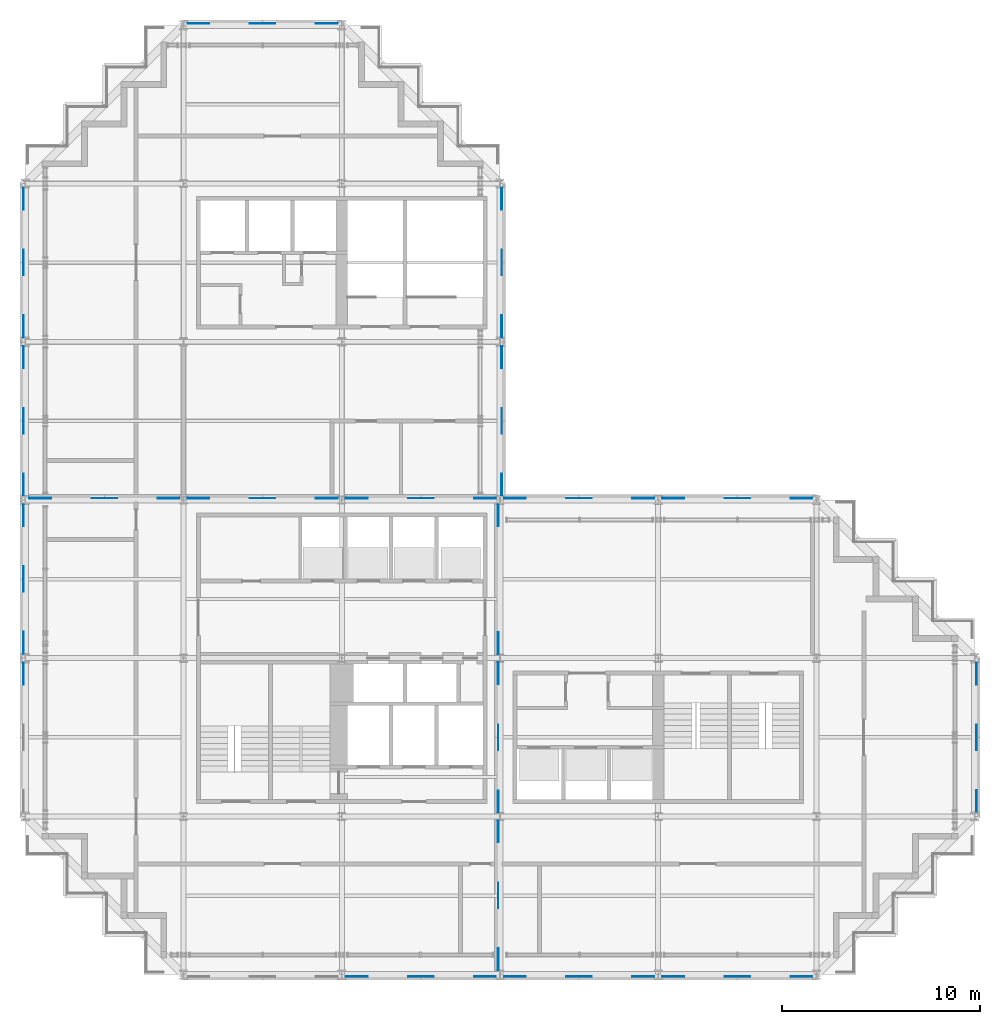
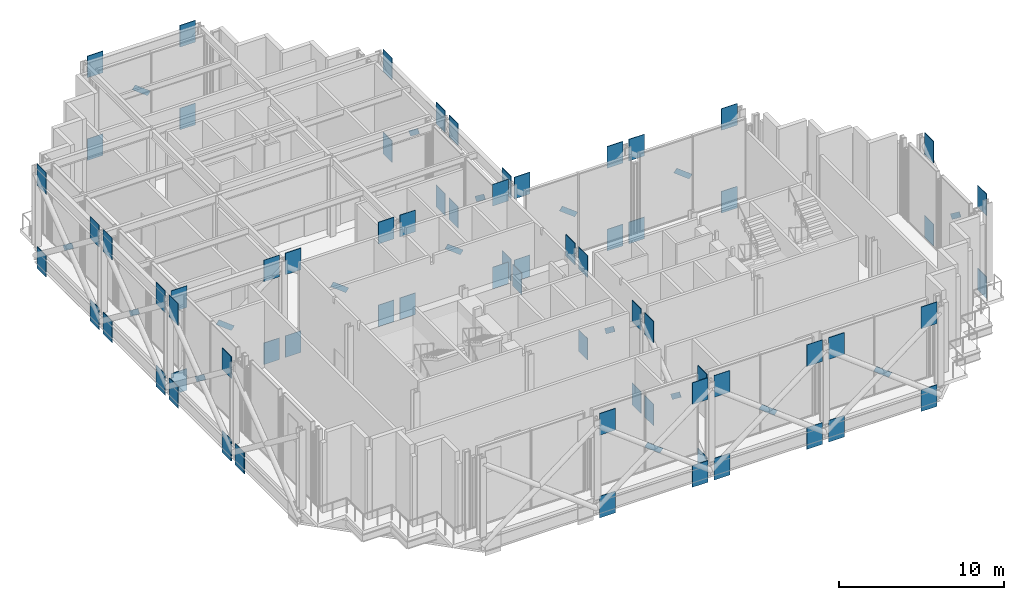
# One storey, part 20 of 23: 88 discrete accessories.
"""IFC4 building model written with IfcOpenShell, lengths in metres."""

import ifcopenshell
import ifcopenshell.guid

model = None  # the IFC model being written
_history = None  # IfcOwnerHistory: only IFC2X3 demands one
_inside = {}  # id of a spatial element -> (the spatial element, [elements in it])
_under = {}  # id of a project, library or spatial element -> (it, [spatial elements below it])
_declared = {}  # id of a project -> (the project, [libraries it declares])
_typed = {}  # id of a type object -> (the type object, [elements of that type])
_made_of = {}  # id of a material, layer set ... -> (it, [elements and type objects made of it])


def new_model(schema):
    """Start an empty IFC model of exactly this schema.

    Asked for "IFC4X3", IfcOpenShell would pick the latest addendum, in which some entities
    have other attributes; the version numbers below select the first issue.
    IFC2X3 requires an IfcOwnerHistory on every rooted entity: one is made here for all.
    """
    global model, _history
    if schema == "IFC4X3":
        model = ifcopenshell.file(schema_version=(4, 3, 0, 0))
    else:
        model = ifcopenshell.file(schema=schema)
    _inside.clear()
    _under.clear()
    _declared.clear()
    _typed.clear()
    _made_of.clear()
    _history = None
    if model.schema == "IFC2X3":
        org = make("IfcOrganization", Name="unknown")
        user = make(
            "IfcPersonAndOrganization",
            ThePerson=make("IfcPerson", FamilyName="unknown"),
            TheOrganization=org,
        )
        app = make(
            "IfcApplication",
            ApplicationDeveloper=org,
            Version="unknown",
            ApplicationFullName="unknown",
            ApplicationIdentifier="unknown",
        )
        _history = make(
            "IfcOwnerHistory",
            OwningUser=user,
            OwningApplication=app,
            ChangeAction="ADDED",
            CreationDate=0,
        )
    return model


def make(cls, **values):
    """One entity of the class cls with the attributes given. An attribute that is None is left unset."""
    return model.create_entity(
        cls, **{name: value for name, value in values.items() if value is not None}
    )


def rooted(cls, **values):
    """An entity with a GlobalId (a new one), such as an element, a storey or a relation."""
    return make(cls, GlobalId=ifcopenshell.guid.new(), OwnerHistory=_history, **values)


def si_unit(unit_type, name, prefix=None):
    """IfcSIUnit, for example si_unit("LENGTHUNIT", "METRE", prefix="MILLI")."""
    return make("IfcSIUnit", UnitType=unit_type, Prefix=prefix, Name=name)


def assignment(units):
    """IfcUnitAssignment: the units of a project."""
    return None if units is None else make("IfcUnitAssignment", Units=units)


def point(xyz):
    """IfcCartesianPoint."""
    return None if xyz is None else make("IfcCartesianPoint", Coordinates=xyz)


def direction(xyz):
    """IfcDirection."""
    return None if xyz is None else make("IfcDirection", DirectionRatios=xyz)


def frame(location, z_axis=None, x_axis=None):
    """IfcAxis2Placement3D, a coordinate frame: its origin and axes. An axis left out is left unset."""
    return make(
        "IfcAxis2Placement3D",
        Location=point(location),
        Axis=direction(z_axis),
        RefDirection=direction(x_axis),
    )


def frame_2d(location, x_axis=None):
    """IfcAxis2Placement2D, a coordinate frame in the plane: its origin and x axis."""
    return make(
        "IfcAxis2Placement2D", Location=point(location), RefDirection=direction(x_axis)
    )


def origin():
    """The frame at (0, 0, 0) with its axes left unset."""
    return frame((0.0, 0.0, 0.0))


def origin_2d():
    """The frame at (0, 0) in the plane with its x axis left unset."""
    return frame_2d((0.0, 0.0))


def place(relative_to, where):
    """IfcLocalPlacement: puts the frame where relative to a parent placement (None: the world)."""
    return make(
        "IfcLocalPlacement", PlacementRelTo=relative_to, RelativePlacement=where
    )


def context(
    kind, dimensions, precision=None, world=None, true_north=None, identifier=None
):
    """IfcGeometricRepresentationContext, for example the 3D "Model" context."""
    return make(
        "IfcGeometricRepresentationContext",
        ContextIdentifier=identifier,
        ContextType=kind,
        CoordinateSpaceDimension=dimensions,
        Precision=precision,
        WorldCoordinateSystem=world,
        TrueNorth=true_north,
    )


def subcontext(parent, identifier, kind, view, scale=None):
    """IfcGeometricRepresentationSubContext, for example "Body" below "Model"."""
    return make(
        "IfcGeometricRepresentationSubContext",
        ContextIdentifier=identifier,
        ContextType=kind,
        ParentContext=parent,
        TargetScale=scale,
        TargetView=view,
    )


def project(units=None, contexts=None):
    """IfcProject with its units and contexts."""
    return rooted(
        "IfcProject",
        Name="project",
        RepresentationContexts=contexts,
        UnitsInContext=assignment(units),
    )


def spatial(cls, under=None, at=None, **own):
    """A site, building, storey or space (cls), placed at a placement, below another one or the project."""
    s = rooted(cls, ObjectPlacement=at, **own)
    if under is not None:
        _under.setdefault(under.id(), (under, []))[1].append(s)
    return s


def profile(cls, at=None, kind="AREA", **sizes):
    """A parametric profile (cls). Its sizes go by their IFC names, for example OverallWidth=200.0."""
    return make(cls, ProfileType=kind, Position=at, **sizes)


def rectangle(**sizes):
    """IfcRectangleProfileDef."""
    return profile("IfcRectangleProfileDef", **sizes)


def extrude(swept, where, along, depth):
    """IfcExtrudedAreaSolid: the profile swept, set in the frame where, extruded along a direction by depth."""
    return make(
        "IfcExtrudedAreaSolid",
        SweptArea=swept,
        Position=where,
        ExtrudedDirection=direction(along),
        Depth=depth,
    )


def shape(context_of_items, identifier, shape_type, items):
    """IfcShapeRepresentation: the items that make up one representation, for example the "Body"."""
    return make(
        "IfcShapeRepresentation",
        ContextOfItems=context_of_items,
        RepresentationIdentifier=identifier,
        RepresentationType=shape_type,
        Items=items,
    )


def material(Name=None, Category=None):
    """IfcMaterial."""
    return make("IfcMaterial", Name=Name, Category=Category)


def material_profile(
    of_material, cross_section, Name=None, Category=None, Priority=None
):
    """IfcMaterialProfile: a cross section and its material."""
    return make(
        "IfcMaterialProfile",
        Name=Name,
        Material=of_material,
        Profile=cross_section,
        Priority=Priority,
        Category=Category,
    )


def profile_set(profiles, Name=None, composite=None):
    """IfcMaterialProfileSet."""
    return make(
        "IfcMaterialProfileSet",
        Name=Name,
        MaterialProfiles=profiles,
        CompositeProfile=composite,
    )


def made_of(thing, what):
    """Note that an element or type object is made of a material, layer set ...; save() writes the relation."""
    if what is not None:
        _made_of.setdefault(what.id(), (what, []))[1].append(thing)
    return thing


def type_object(cls, material=None, **own):
    """A type object (cls), such as IfcWallType, which elements share."""
    return made_of(rooted(cls, **own), material)


def element(
    cls,
    number,
    at=None,
    inside=None,
    cuts=None,
    type_object=None,
    material=None,
    context=None,
    identifier="Body",
    shape_type=None,
    held_by="IfcProductDefinitionShape",
    body=None,
    shapes=None,
    **own,
):
    """One element of the class cls, such as IfcWall. Its Tag is "e" and its number.

    at: its placement. inside: the storey or other place that contains it. cuts: it is an
    opening in that element (IfcRelVoidsElement). A single representation is given by context,
    identifier, shape_type and body (its items); several are given by shapes. held_by: the class
    of the entity that holds the representations. save() writes the other relations.
    """
    e = rooted(cls, Tag="e%d" % number, ObjectPlacement=at, **own)
    if body is not None:
        shapes = [shape(context, identifier, shape_type, body)]
    if shapes is not None:
        e.Representation = make(held_by, Representations=shapes)
    if inside is not None:
        _inside.setdefault(inside.id(), (inside, []))[1].append(e)
    if cuts is not None:
        rooted(
            "IfcRelVoidsElement", RelatingBuildingElement=cuts, RelatedOpeningElement=e
        )
    if type_object is not None:
        _typed.setdefault(type_object.id(), (type_object, []))[1].append(e)
    return made_of(e, material)


def aggregate(whole, parts):
    """IfcRelAggregates: a whole, such as a stair, and the parts it consists of."""
    return rooted("IfcRelAggregates", RelatingObject=whole, RelatedObjects=parts)


def save(model, path):
    """Write the relations noted so far, then the file.

    IfcRelAggregates (storeys below a building ...), IfcRelContainedInSpatialStructure (elements
    in a storey), IfcRelDefinesByType, IfcRelAssociatesMaterial and IfcRelDeclares: one each for
    every whole, place, type object, material and project.
    """
    for whole, parts in _under.values():
        aggregate(whole, parts)
    for where, things in _inside.values():
        rooted(
            "IfcRelContainedInSpatialStructure",
            RelatedElements=things,
            RelatingStructure=where,
        )
    for kind, things in _typed.values():
        rooted("IfcRelDefinesByType", RelatedObjects=things, RelatingType=kind)
    for what, things in _made_of.values():
        rooted("IfcRelAssociatesMaterial", RelatedObjects=things, RelatingMaterial=what)
    for by, libraries in _declared.values():
        rooted("IfcRelDeclares", RelatingContext=by, RelatedDefinitions=libraries)
    model.write(path)


model = new_model("IFC4")

# Units and contexts
model_context = context("Model", 3, precision=1e-05, world=origin(), true_north=direction((0.0, 1.0)))
body_context = subcontext(model_context, "Body", "Model", "MODEL_VIEW")
ifc_project = project(units=[si_unit("LENGTHUNIT", "METRE"), si_unit("AREAUNIT", "SQUARE_METRE"), si_unit("VOLUMEUNIT", "CUBIC_METRE"), si_unit("PLANEANGLEUNIT", "RADIAN"), si_unit("MASSUNIT", "GRAM", prefix="KILO")], contexts=[model_context])

# Site, building, storey
site_placement = place(None, origin())
site = spatial("IfcSite", under=ifc_project, at=site_placement, CompositionType="ELEMENT")
building_placement = place(site_placement, origin())
building = spatial("IfcBuilding", under=site, at=building_placement, Name="Immortelle Media Tower", CompositionType="ELEMENT")
storey_placement = place(building_placement, frame((0.0, 0.0, 183.0)))
storey = spatial("IfcBuildingStorey", under=building, at=storey_placement, Name="L38", CompositionType="ELEMENT", Elevation=183.0)

# Discrete accessories
ifc_material = material(Name="Steel ASTM A572 Gr 50", Category="steel")
ifc_material_profile_1 = material_profile(ifc_material, rectangle(XDim=0.02392578125, YDim=0.35595703125, at=origin_2d()), Name="PL 24 x 356")
ifc_profile_set_1 = profile_set([ifc_material_profile_1], Name="Steel ASTM A572 Gr 50")
discrete_accessory_type_1 = type_object("IfcDiscreteAccessoryType", Name="Crossing plate XP-BT2 1350 x 356 x 24", PredefinedType="USERDEFINED", material=ifc_profile_set_1)
for number, where, z_axis, x_axis, name in (
    (1, (-0.087890625, 19.4638671875, 2.744140625), (0.0, 0.79432189721, -0.607497097616), (-1.0, 0.0, 0.0), "Crossing plate XP-BT2 of Belt truss 1/C-D A and Belt truss 1/C-D B"),
    (2, (-0.087890625, 27.4638671875, 2.744140625), (0.0, 0.79432189721, -0.607497097616), (-1.0, 0.0, 0.0), "Crossing plate XP-BT2 of Belt truss 1/D-E A and Belt truss 1/D-E B"),
    (3, (3.4638671875, 24.087890625, 2.744140625), (0.79432189721, 0.0, -0.607497097616), (0.0, 1.0, 0.0), "Crossing plate XP-BT2 of Belt truss D/1-2 A and Belt truss D/1-2 B"),
    (4, (-0.087890625, 35.4638671875, 2.744140625), (0.0, 0.79432189721, -0.607497097616), (-1.0, 0.0, 0.0), "Crossing plate XP-BT2 of Belt truss 1/E-F A and Belt truss 1/E-F B"),
    (5, (11.4638671875, 24.087890625, 2.744140625), (0.79432189721, 0.0, -0.607497097616), (0.0, 1.0, 0.0), "Crossing plate XP-BT2 of Belt truss D/2-3 A and Belt truss D/2-3 B"),
    (6, (11.4638671875, 48.087890625, 2.744140625), (0.79432189721, 0.0, -0.607497097616), (0.0, 1.0, 0.0), "Crossing plate XP-BT2 of Belt truss G/2-3 A and Belt truss G/2-3 B"),
    (7, (19.4638671875, -0.087890625, 2.744140625), (0.79432189721, 0.0, -0.607497097616), (0.0, 1.0, 0.0), "Crossing plate XP-BT2 of Belt truss A/3-4 A and Belt truss A/3-4 B"),
    (8, (19.4638671875, 24.087890625, 2.744140625), (0.79432189721, 0.0, -0.607497097616), (0.0, 1.0, 0.0), "Crossing plate XP-BT2 of Belt truss D/3-4 A and Belt truss D/3-4 B"),
    (9, (23.912109375, 3.4638671875, 2.744140625), (0.0, 0.79432189721, -0.607497097616), (-1.0, 0.0, 0.0), "Crossing plate XP-BT2 of Belt truss 4/A-B A and Belt truss 4/A-B B"),
    (10, (27.4638671875, -0.087890625, 2.744140625), (0.79432189721, 0.0, -0.607497097616), (0.0, 1.0, 0.0), "Crossing plate XP-BT2 of Belt truss A/4-5 A and Belt truss A/4-5 B"),
    (11, (23.912109375, 11.4638671875, 2.744140625), (0.0, 0.79432189721, -0.607497097616), (-1.0, 0.0, 0.0), "Crossing plate XP-BT2 of Belt truss 4/B-C A and Belt truss 4/B-C B"),
    (12, (24.087890625, 27.4638671875, 2.744140625), (0.0, 0.79432189721, -0.607497097616), (-1.0, 0.0, 0.0), "Crossing plate XP-BT2 of Belt truss 4/D-E A and Belt truss 4/D-E B"),
    (13, (27.4638671875, 24.087890625, 2.744140625), (0.79432189721, 0.0, -0.607497097616), (0.0, 1.0, 0.0), "Crossing plate XP-BT2 of Belt truss D/4-5 A and Belt truss D/4-5 B"),
    (14, (24.087890625, 35.4638671875, 2.744140625), (0.0, 0.79432189721, -0.607497097616), (-1.0, 0.0, 0.0), "Crossing plate XP-BT2 of Belt truss 4/E-F A and Belt truss 4/E-F B"),
    (15, (35.4638671875, -0.087890625, 2.744140625), (0.79432189721, 0.0, -0.607497097616), (0.0, 1.0, 0.0), "Crossing plate XP-BT2 of Belt truss A/5-6 A and Belt truss A/5-6 B"),
    (16, (35.4638671875, 24.087890625, 2.744140625), (0.79432189721, 0.0, -0.607497097616), (0.0, 1.0, 0.0), "Crossing plate XP-BT2 of Belt truss D/5-6 A and Belt truss D/5-6 B"),
    (17, (48.087890625, 11.4638671875, 2.744140625), (0.0, 0.79432189721, -0.607497097616), (-1.0, 0.0, 0.0), "Crossing plate XP-BT2 of Belt truss 7/B-C A and Belt truss 7/B-C B"),
):
    element("IfcDiscreteAccessory", number, at=place(storey_placement, frame(where, z_axis=z_axis, x_axis=x_axis)), inside=storey, type_object=discrete_accessory_type_1, Name=name, ObjectType="CROSSING PLATE", PredefinedType="USERDEFINED", context=body_context, shape_type="SweptSolid", body=[
        extrude(rectangle(XDim=0.02392578125, YDim=0.35595703125, at=origin_2d()), origin(), (0.0, 0.0, 1.0), 1.349853515625),
    ])
ifc_material_profile_2 = material_profile(ifc_material, rectangle(XDim=0.0400390625, YDim=1.60009765625, at=origin_2d()), Name="PL 40 x 1600")
ifc_profile_set_2 = profile_set([ifc_material_profile_2], Name="Steel ASTM A572 Gr 50")
discrete_accessory_type_2 = type_object("IfcDiscreteAccessoryType", Name="Gusset plate GP2 1100 x 1600 x 40", PredefinedType="USERDEFINED", material=ifc_profile_set_2)
for number, where, z_axis, x_axis, name in (
    (18, (-0.087890625, 15.762451171875, -0.72509765625), (0.0, -1.0, 0.0), (1.0, 0.0, 0.0), "Gusset plate GP2, lower end of Belt truss 1/B-C B"),
    (19, (-0.087890625, 16.237548828125, -0.72509765625), (0.0, 1.0, 0.0), (-1.0, 0.0, 0.0), "Gusset plate GP2, lower end of Belt truss 1/C-D A"),
    (20, (-0.087890625, 23.762451171875, 5.39306640625), (0.0, -1.0, 0.0), (1.0, 0.0, 0.0), "Gusset plate GP2, upper end of Belt truss 1/C-D A"),
    (21, (-0.087890625, 23.762451171875, -0.72509765625), (0.0, -1.0, 0.0), (1.0, 0.0, 0.0), "Gusset plate GP2, lower end of Belt truss 1/C-D B"),
    (22, (-0.087890625, 16.237548828125, 5.39306640625), (0.0, 1.0, 0.0), (-1.0, 0.0, 0.0), "Gusset plate GP2, upper end of Belt truss 1/C-D B"),
):
    element("IfcDiscreteAccessory", number, at=place(storey_placement, frame(where, z_axis=z_axis, x_axis=x_axis)), inside=storey, type_object=discrete_accessory_type_2, Name=name, ObjectType="GUSSET PLATE", PredefinedType="USERDEFINED", context=body_context, shape_type="SweptSolid", body=[
        extrude(rectangle(XDim=0.0400390625, YDim=1.60009765625, at=origin_2d()), origin(), (0.0, 0.0, 1.0), 1.099853515625),
    ])
for number, where, z_axis, x_axis, name in (
    (23, (0.2119140625, 24.087890625, -0.72509765625), (1.0, 0.0, 0.0), (0.0, 1.0, 0.0), "Gusset plate GP2, lower end of Belt truss D/1-2 A"),
    (24, (7.797119140625, 24.087890625, 5.39306640625), (-1.0, 0.0, 0.0), (0.0, -1.0, 0.0), "Gusset plate GP2, upper end of Belt truss D/1-2 A"),
    (25, (7.797119140625, 24.087890625, -0.72509765625), (-1.0, 0.0, 0.0), (0.0, -1.0, 0.0), "Gusset plate GP2, lower end of Belt truss D/1-2 B"),
    (26, (0.2119140625, 24.087890625, 5.39306640625), (1.0, 0.0, 0.0), (0.0, 1.0, 0.0), "Gusset plate GP2, upper end of Belt truss D/1-2 B"),
):
    element("IfcDiscreteAccessory", number, at=place(storey_placement, frame(where, z_axis=z_axis, x_axis=x_axis)), inside=storey, type_object=discrete_accessory_type_2, Name=name, ObjectType="GUSSET PLATE", PredefinedType="USERDEFINED", context=body_context, shape_type="SweptSolid", body=[
        extrude(rectangle(XDim=0.0400390625, YDim=1.60009765625, at=origin_2d()), origin(), (0.0, 0.0, 1.0), 1.10009765625),
    ])
for number, where, z_axis, x_axis, name in (
    (27, (-0.087890625, 24.237548828125, -0.72509765625), (0.0, 1.0, 0.0), (-1.0, 0.0, 0.0), "Gusset plate GP2, lower end of Belt truss 1/D-E A"),
    (28, (-0.087890625, 31.762451171875, 5.39306640625), (0.0, -1.0, 0.0), (1.0, 0.0, 0.0), "Gusset plate GP2, upper end of Belt truss 1/D-E A"),
    (29, (-0.087890625, 31.762451171875, -0.72509765625), (0.0, -1.0, 0.0), (1.0, 0.0, 0.0), "Gusset plate GP2, lower end of Belt truss 1/D-E B"),
    (30, (-0.087890625, 24.237548828125, 5.39306640625), (0.0, 1.0, 0.0), (-1.0, 0.0, 0.0), "Gusset plate GP2, upper end of Belt truss 1/D-E B"),
    (31, (-0.087890625, 32.237548828125, -0.72509765625), (0.0, 1.0, 0.0), (-1.0, 0.0, 0.0), "Gusset plate GP2, lower end of Belt truss 1/E-F A"),
    (32, (-0.087890625, 39.762451171875, 5.39306640625), (0.0, -1.0, 0.0), (1.0, 0.0, 0.0), "Gusset plate GP2, upper end of Belt truss 1/E-F A"),
    (33, (-0.087890625, 39.762451171875, -0.72509765625), (0.0, -1.0, 0.0), (1.0, 0.0, 0.0), "Gusset plate GP2, lower end of Belt truss 1/E-F B"),
    (34, (-0.087890625, 32.237548828125, 5.39306640625), (0.0, 1.0, 0.0), (-1.0, 0.0, 0.0), "Gusset plate GP2, upper end of Belt truss 1/E-F B"),
):
    element("IfcDiscreteAccessory", number, at=place(storey_placement, frame(where, z_axis=z_axis, x_axis=x_axis)), inside=storey, type_object=discrete_accessory_type_2, Name=name, ObjectType="GUSSET PLATE", PredefinedType="USERDEFINED", context=body_context, shape_type="SweptSolid", body=[
        extrude(rectangle(XDim=0.0400390625, YDim=1.60009765625, at=origin_2d()), origin(), (0.0, 0.0, 1.0), 1.099853515625),
    ])
for number, where, z_axis, x_axis, name in (
    (35, (8.202880859375, 24.087890625, -0.72509765625), (1.0, 0.0, 0.0), (0.0, 1.0, 0.0), "Gusset plate GP2, lower end of Belt truss D/2-3 A"),
    (36, (15.797119140625, 24.087890625, 5.39306640625), (-1.0, 0.0, 0.0), (0.0, -1.0, 0.0), "Gusset plate GP2, upper end of Belt truss D/2-3 A"),
    (37, (15.797119140625, 24.087890625, -0.72509765625), (-1.0, 0.0, 0.0), (0.0, -1.0, 0.0), "Gusset plate GP2, lower end of Belt truss D/2-3 B"),
    (38, (8.202880859375, 24.087890625, 5.39306640625), (1.0, 0.0, 0.0), (0.0, 1.0, 0.0), "Gusset plate GP2, upper end of Belt truss D/2-3 B"),
    (39, (8.2119140625, 48.087890625, -0.72509765625), (1.0, 0.0, 0.0), (0.0, 1.0, 0.0), "Gusset plate GP2, lower end of Belt truss G/2-3 A"),
    (40, (15.7880859375, 48.087890625, 5.39306640625), (-1.0, 0.0, 0.0), (0.0, -1.0, 0.0), "Gusset plate GP2, upper end of Belt truss G/2-3 A"),
    (41, (15.7880859375, 48.087890625, -0.72509765625), (-1.0, 0.0, 0.0), (0.0, -1.0, 0.0), "Gusset plate GP2, lower end of Belt truss G/2-3 B"),
    (42, (8.2119140625, 48.087890625, 5.39306640625), (1.0, 0.0, 0.0), (0.0, 1.0, 0.0), "Gusset plate GP2, upper end of Belt truss G/2-3 B"),
    (43, (16.2119140625, -0.087890625, -0.72509765625), (1.0, 0.0, 0.0), (0.0, 1.0, 0.0), "Gusset plate GP2, lower end of Belt truss A/3-4 A"),
    (44, (23.7880859375, -0.087890625, 5.39306640625), (-1.0, 0.0, 0.0), (0.0, -1.0, 0.0), "Gusset plate GP2, upper end of Belt truss A/3-4 A"),
    (45, (23.7880859375, -0.087890625, -0.72509765625), (-1.0, 0.0, 0.0), (0.0, -1.0, 0.0), "Gusset plate GP2, lower end of Belt truss A/3-4 B"),
    (46, (16.2119140625, -0.087890625, 5.39306640625), (1.0, 0.0, 0.0), (0.0, 1.0, 0.0), "Gusset plate GP2, upper end of Belt truss A/3-4 B"),
    (47, (16.202880859375, 24.087890625, -0.72509765625), (1.0, 0.0, 0.0), (0.0, 1.0, 0.0), "Gusset plate GP2, lower end of Belt truss D/3-4 A"),
    (48, (23.7880859375, 24.087890625, 5.39306640625), (-1.0, 0.0, 0.0), (0.0, -1.0, 0.0), "Gusset plate GP2, upper end of Belt truss D/3-4 A"),
    (49, (23.7880859375, 24.087890625, -0.72509765625), (-1.0, 0.0, 0.0), (0.0, -1.0, 0.0), "Gusset plate GP2, lower end of Belt truss D/3-4 B"),
    (50, (16.202880859375, 24.087890625, 5.39306640625), (1.0, 0.0, 0.0), (0.0, 1.0, 0.0), "Gusset plate GP2, upper end of Belt truss D/3-4 B"),
    (51, (24.2119140625, -0.087890625, -0.72509765625), (1.0, 0.0, 0.0), (0.0, 1.0, 0.0), "Gusset plate GP2, lower end of Belt truss A/4-5 A"),
    (52, (31.7880859375, -0.087890625, 5.39306640625), (-1.0, 0.0, 0.0), (0.0, -1.0, 0.0), "Gusset plate GP2, upper end of Belt truss A/4-5 A"),
    (53, (31.7880859375, -0.087890625, -0.72509765625), (-1.0, 0.0, 0.0), (0.0, -1.0, 0.0), "Gusset plate GP2, lower end of Belt truss A/4-5 B"),
    (54, (24.2119140625, -0.087890625, 5.39306640625), (1.0, 0.0, 0.0), (0.0, 1.0, 0.0), "Gusset plate GP2, upper end of Belt truss A/4-5 B"),
):
    element("IfcDiscreteAccessory", number, at=place(storey_placement, frame(where, z_axis=z_axis, x_axis=x_axis)), inside=storey, type_object=discrete_accessory_type_2, Name=name, ObjectType="GUSSET PLATE", PredefinedType="USERDEFINED", context=body_context, shape_type="SweptSolid", body=[
        extrude(rectangle(XDim=0.0400390625, YDim=1.60009765625, at=origin_2d()), origin(), (0.0, 0.0, 1.0), 1.10009765625),
    ])
discrete_accessory_1_placement = place(storey_placement, frame((23.912109375, 0.237548828125, -0.72509765625), z_axis=(0.0, 1.0, 0.0), x_axis=(-1.0, 0.0, 0.0)))
element("IfcDiscreteAccessory", 55, at=discrete_accessory_1_placement, inside=storey, type_object=discrete_accessory_type_2, Name="Gusset plate GP2, lower end of Belt truss 4/A-B A", ObjectType="GUSSET PLATE", PredefinedType="USERDEFINED", context=body_context, shape_type="SweptSolid", body=[
    extrude(rectangle(XDim=0.0400390625, YDim=1.60009765625, at=origin_2d()), origin(), (0.0, 0.0, 1.0), 1.099853515625),
])
for number, where, z_axis, x_axis, name in (
    (56, (23.912109375, 7.79150390625, 5.39306640625), (0.0, -1.0, 0.0), (1.0, 0.0, 0.0), "Gusset plate GP2, upper end of Belt truss 4/A-B A"),
    (57, (23.912109375, 7.79150390625, -0.72509765625), (0.0, -1.0, 0.0), (1.0, 0.0, 0.0), "Gusset plate GP2, lower end of Belt truss 4/A-B B"),
):
    element("IfcDiscreteAccessory", number, at=place(storey_placement, frame(where, z_axis=z_axis, x_axis=x_axis)), inside=storey, type_object=discrete_accessory_type_2, Name=name, ObjectType="GUSSET PLATE", PredefinedType="USERDEFINED", context=body_context, shape_type="SweptSolid", body=[
        extrude(rectangle(XDim=0.0400390625, YDim=1.60009765625, at=origin_2d()), origin(), (0.0, 0.0, 1.0), 1.10009765625),
    ])
discrete_accessory_2_placement = place(storey_placement, frame((23.912109375, 0.237548828125, 5.39306640625), z_axis=(0.0, 1.0, 0.0), x_axis=(-1.0, 0.0, 0.0)))
element("IfcDiscreteAccessory", 58, at=discrete_accessory_2_placement, inside=storey, type_object=discrete_accessory_type_2, Name="Gusset plate GP2, upper end of Belt truss 4/A-B B", ObjectType="GUSSET PLATE", PredefinedType="USERDEFINED", context=body_context, shape_type="SweptSolid", body=[
    extrude(rectangle(XDim=0.0400390625, YDim=1.60009765625, at=origin_2d()), origin(), (0.0, 0.0, 1.0), 1.099853515625),
])
for number, where, z_axis, x_axis, name in (
    (59, (23.912109375, 8.20849609375, -0.72509765625), (0.0, 1.0, 0.0), (-1.0, 0.0, 0.0), "Gusset plate GP2, lower end of Belt truss 4/B-C A"),
    (60, (23.912109375, 15.79150390625, 5.39306640625), (0.0, -1.0, 0.0), (1.0, 0.0, 0.0), "Gusset plate GP2, upper end of Belt truss 4/B-C A"),
    (61, (23.912109375, 15.79150390625, -0.72509765625), (0.0, -1.0, 0.0), (1.0, 0.0, 0.0), "Gusset plate GP2, lower end of Belt truss 4/B-C B"),
    (62, (23.912109375, 8.20849609375, 5.39306640625), (0.0, 1.0, 0.0), (-1.0, 0.0, 0.0), "Gusset plate GP2, upper end of Belt truss 4/B-C B"),
):
    element("IfcDiscreteAccessory", number, at=place(storey_placement, frame(where, z_axis=z_axis, x_axis=x_axis)), inside=storey, type_object=discrete_accessory_type_2, Name=name, ObjectType="GUSSET PLATE", PredefinedType="USERDEFINED", context=body_context, shape_type="SweptSolid", body=[
        extrude(rectangle(XDim=0.0400390625, YDim=1.60009765625, at=origin_2d()), origin(), (0.0, 0.0, 1.0), 1.10009765625),
    ])
discrete_accessory_3_placement = place(storey_placement, frame((23.912109375, 23.762451171875, -0.72509765625), z_axis=(0.0, -1.0, 0.0), x_axis=(1.0, 0.0, 0.0)))
element("IfcDiscreteAccessory", 63, at=discrete_accessory_3_placement, inside=storey, type_object=discrete_accessory_type_2, Name="Gusset plate GP2, lower end of Belt truss 4/C-D B", ObjectType="GUSSET PLATE", PredefinedType="USERDEFINED", context=body_context, shape_type="SweptSolid", body=[
    extrude(rectangle(XDim=0.0400390625, YDim=1.60009765625, at=origin_2d()), origin(), (0.0, 0.0, 1.0), 1.099853515625),
])
for number, where, z_axis, x_axis, name in (
    (64, (23.912109375, 16.20849609375, 5.39306640625), (0.0, 1.0, 0.0), (-1.0, 0.0, 0.0), "Gusset plate GP2, upper end of Belt truss 4/C-D B"),
    (65, (24.2119140625, 24.087890625, -0.72509765625), (1.0, 0.0, 0.0), (0.0, 1.0, 0.0), "Gusset plate GP2, lower end of Belt truss D/4-5 A"),
    (66, (31.7880859375, 24.087890625, 5.39306640625), (-1.0, 0.0, 0.0), (0.0, -1.0, 0.0), "Gusset plate GP2, upper end of Belt truss D/4-5 A"),
    (67, (31.7880859375, 24.087890625, -0.72509765625), (-1.0, 0.0, 0.0), (0.0, -1.0, 0.0), "Gusset plate GP2, lower end of Belt truss D/4-5 B"),
    (68, (24.2119140625, 24.087890625, 5.39306640625), (1.0, 0.0, 0.0), (0.0, 1.0, 0.0), "Gusset plate GP2, upper end of Belt truss D/4-5 B"),
):
    element("IfcDiscreteAccessory", number, at=place(storey_placement, frame(where, z_axis=z_axis, x_axis=x_axis)), inside=storey, type_object=discrete_accessory_type_2, Name=name, ObjectType="GUSSET PLATE", PredefinedType="USERDEFINED", context=body_context, shape_type="SweptSolid", body=[
        extrude(rectangle(XDim=0.0400390625, YDim=1.60009765625, at=origin_2d()), origin(), (0.0, 0.0, 1.0), 1.10009765625),
    ])
for number, where, z_axis, x_axis, name in (
    (69, (24.087890625, 24.237548828125, -0.72509765625), (0.0, 1.0, 0.0), (-1.0, 0.0, 0.0), "Gusset plate GP2, lower end of Belt truss 4/D-E A"),
    (70, (24.087890625, 31.762451171875, 5.39306640625), (0.0, -1.0, 0.0), (1.0, 0.0, 0.0), "Gusset plate GP2, upper end of Belt truss 4/D-E A"),
    (71, (24.087890625, 31.762451171875, -0.72509765625), (0.0, -1.0, 0.0), (1.0, 0.0, 0.0), "Gusset plate GP2, lower end of Belt truss 4/D-E B"),
    (72, (24.087890625, 24.237548828125, 5.39306640625), (0.0, 1.0, 0.0), (-1.0, 0.0, 0.0), "Gusset plate GP2, upper end of Belt truss 4/D-E B"),
    (73, (24.087890625, 32.237548828125, -0.72509765625), (0.0, 1.0, 0.0), (-1.0, 0.0, 0.0), "Gusset plate GP2, lower end of Belt truss 4/E-F A"),
    (74, (24.087890625, 39.762451171875, 5.39306640625), (0.0, -1.0, 0.0), (1.0, 0.0, 0.0), "Gusset plate GP2, upper end of Belt truss 4/E-F A"),
    (75, (24.087890625, 39.762451171875, -0.72509765625), (0.0, -1.0, 0.0), (1.0, 0.0, 0.0), "Gusset plate GP2, lower end of Belt truss 4/E-F B"),
    (76, (24.087890625, 32.237548828125, 5.39306640625), (0.0, 1.0, 0.0), (-1.0, 0.0, 0.0), "Gusset plate GP2, upper end of Belt truss 4/E-F B"),
):
    element("IfcDiscreteAccessory", number, at=place(storey_placement, frame(where, z_axis=z_axis, x_axis=x_axis)), inside=storey, type_object=discrete_accessory_type_2, Name=name, ObjectType="GUSSET PLATE", PredefinedType="USERDEFINED", context=body_context, shape_type="SweptSolid", body=[
        extrude(rectangle(XDim=0.0400390625, YDim=1.60009765625, at=origin_2d()), origin(), (0.0, 0.0, 1.0), 1.099853515625),
    ])
for number, where, z_axis, x_axis, name in (
    (77, (32.2119140625, -0.087890625, -0.72509765625), (1.0, 0.0, 0.0), (0.0, 1.0, 0.0), "Gusset plate GP2, lower end of Belt truss A/5-6 A"),
    (78, (39.7880859375, -0.087890625, 5.39306640625), (-1.0, 0.0, 0.0), (0.0, -1.0, 0.0), "Gusset plate GP2, upper end of Belt truss A/5-6 A"),
    (79, (39.7880859375, -0.087890625, -0.72509765625), (-1.0, 0.0, 0.0), (0.0, -1.0, 0.0), "Gusset plate GP2, lower end of Belt truss A/5-6 B"),
    (80, (32.2119140625, -0.087890625, 5.39306640625), (1.0, 0.0, 0.0), (0.0, 1.0, 0.0), "Gusset plate GP2, upper end of Belt truss A/5-6 B"),
    (81, (32.2119140625, 24.087890625, -0.72509765625), (1.0, 0.0, 0.0), (0.0, 1.0, 0.0), "Gusset plate GP2, lower end of Belt truss D/5-6 A"),
    (82, (39.7880859375, 24.087890625, 5.39306640625), (-1.0, 0.0, 0.0), (0.0, -1.0, 0.0), "Gusset plate GP2, upper end of Belt truss D/5-6 A"),
    (83, (39.7880859375, 24.087890625, -0.72509765625), (-1.0, 0.0, 0.0), (0.0, -1.0, 0.0), "Gusset plate GP2, lower end of Belt truss D/5-6 B"),
    (84, (32.2119140625, 24.087890625, 5.39306640625), (1.0, 0.0, 0.0), (0.0, 1.0, 0.0), "Gusset plate GP2, upper end of Belt truss D/5-6 B"),
):
    element("IfcDiscreteAccessory", number, at=place(storey_placement, frame(where, z_axis=z_axis, x_axis=x_axis)), inside=storey, type_object=discrete_accessory_type_2, Name=name, ObjectType="GUSSET PLATE", PredefinedType="USERDEFINED", context=body_context, shape_type="SweptSolid", body=[
        extrude(rectangle(XDim=0.0400390625, YDim=1.60009765625, at=origin_2d()), origin(), (0.0, 0.0, 1.0), 1.10009765625),
    ])
for number, where, z_axis, x_axis, name in (
    (85, (48.087890625, 8.237548828125, -0.72509765625), (0.0, 1.0, 0.0), (-1.0, 0.0, 0.0), "Gusset plate GP2, lower end of Belt truss 7/B-C A"),
    (86, (48.087890625, 15.762451171875, 5.39306640625), (0.0, -1.0, 0.0), (1.0, 0.0, 0.0), "Gusset plate GP2, upper end of Belt truss 7/B-C A"),
    (87, (48.087890625, 15.762451171875, -0.72509765625), (0.0, -1.0, 0.0), (1.0, 0.0, 0.0), "Gusset plate GP2, lower end of Belt truss 7/B-C B"),
    (88, (48.087890625, 8.237548828125, 5.39306640625), (0.0, 1.0, 0.0), (-1.0, 0.0, 0.0), "Gusset plate GP2, upper end of Belt truss 7/B-C B"),
):
    element("IfcDiscreteAccessory", number, at=place(storey_placement, frame(where, z_axis=z_axis, x_axis=x_axis)), inside=storey, type_object=discrete_accessory_type_2, Name=name, ObjectType="GUSSET PLATE", PredefinedType="USERDEFINED", context=body_context, shape_type="SweptSolid", body=[
        extrude(rectangle(XDim=0.0400390625, YDim=1.60009765625, at=origin_2d()), origin(), (0.0, 0.0, 1.0), 1.099853515625),
    ])

save(model, "model.ifc")
